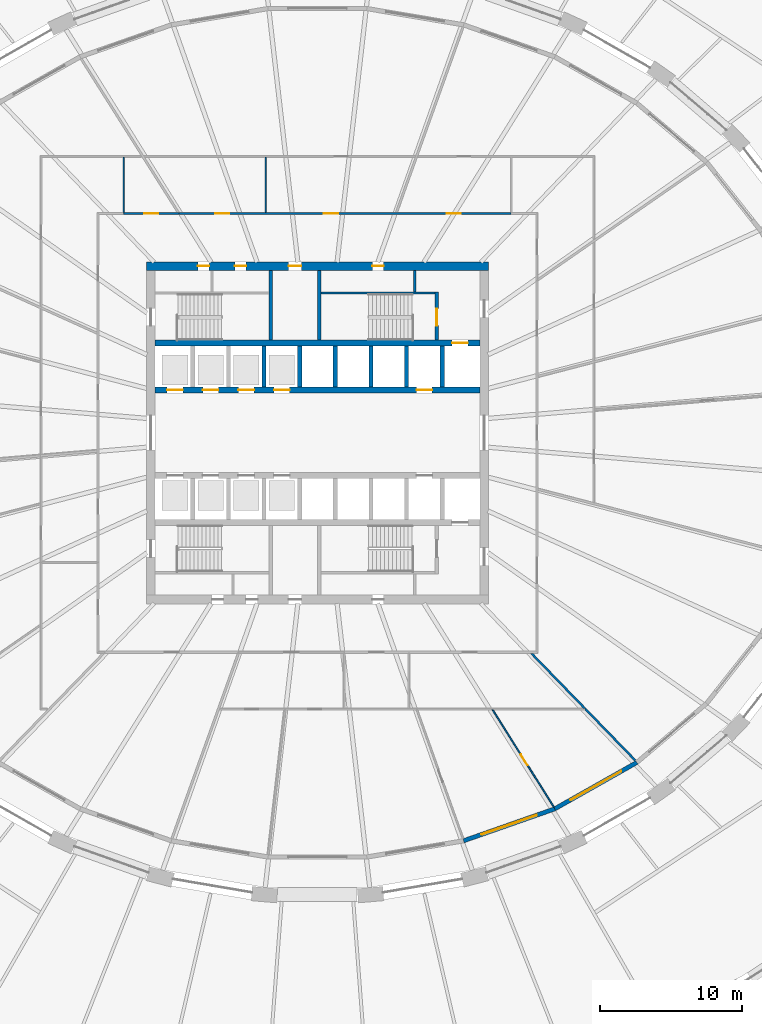
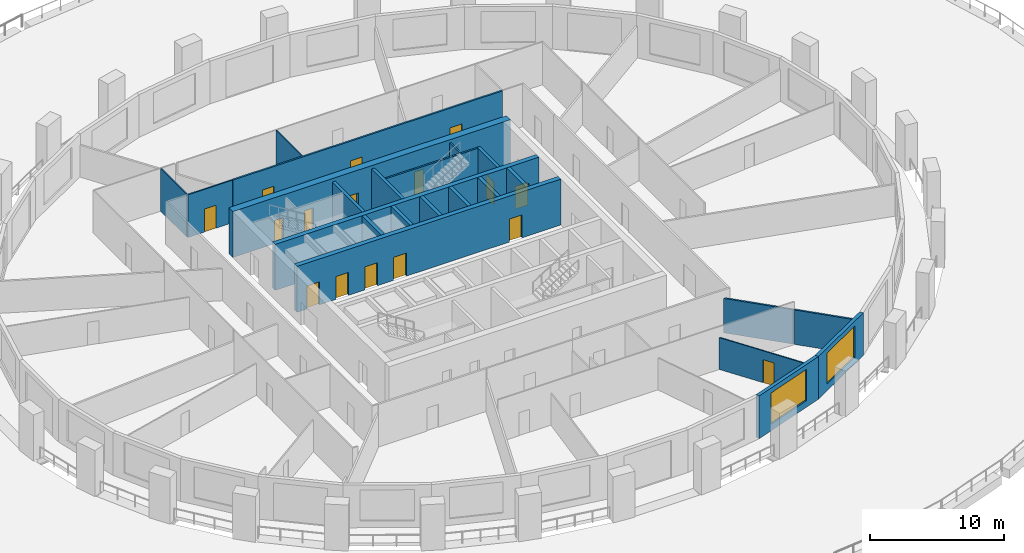
# One storey, part 8 of 16: 22 walls, 16 doors, 2 windows, 18 openings.
"""IFC4 building model written with IfcOpenShell, lengths in metres."""

from ifc_helpers import new_model, si_unit, direction, frame, frame_2d, origin, place, context, subcontext, project, spatial, polyline, rectangle, outline, extrude, material, layer, layer_set, type_object, element, fill, save


model = new_model("IFC4")

# Units and contexts
model_context = context("Model", 3, precision=1e-05, world=origin(), true_north=direction((0.0, 1.0)))
body_context = subcontext(model_context, "Body", "Model", "MODEL_VIEW")
ifc_project = project(units=[si_unit("LENGTHUNIT", "METRE"), si_unit("AREAUNIT", "SQUARE_METRE"), si_unit("VOLUMEUNIT", "CUBIC_METRE"), si_unit("PLANEANGLEUNIT", "RADIAN"), si_unit("MASSUNIT", "GRAM", prefix="KILO")], contexts=[model_context])

# Site, building, storey
site_placement = place(None, origin())
site = spatial("IfcSite", under=ifc_project, at=site_placement, CompositionType="ELEMENT")
building_placement = place(site_placement, origin())
building = spatial("IfcBuilding", under=site, at=building_placement, Name="Halqa Exchange Tower", CompositionType="ELEMENT")
storey_placement = place(building_placement, frame((0.0, 0.0, 23.5)))
storey = spatial("IfcBuildingStorey", under=building, at=storey_placement, Name="L04", CompositionType="ELEMENT", Elevation=23.5)

# Wall, openings, doors
ifc_material_1 = material(Name="Fire-rated gypsum board")
ifc_layer_1 = layer(ifc_material_1, 0.14990234375)
ifc_layer_set_1 = layer_set([ifc_layer_1], Name="Fire-rated gypsum board")
wall_type_1 = type_object("IfcWallType", Name="Fire partition EI 60 150", PredefinedType="PARTITIONING", material=ifc_layer_set_1)
wall_1_placement = place(storey_placement, frame((-9.72998046875, 15.39990234375, 0.0), z_axis=(0.0, 0.0, 1.0), x_axis=(1.0, 0.0, 0.0)))
wall_1 = element("IfcWall", 1, at=wall_1_placement, inside=storey, type_object=wall_type_1, Name="L04-PWL-023", PredefinedType="PARTITIONING", context=body_context, shape_type="SweptSolid", body=[
    extrude(rectangle(XDim=23.330078125, YDim=0.14990234375, at=frame_2d((11.6650390625, 0.0))), origin(), (0.0, 0.0, 1.0), 3.89990234375),
])
opening_1_placement = place(wall_1_placement, frame((18.7900390625, 0.0, 0.0)))
opening_1 = element("IfcOpeningElement", 2, at=opening_1_placement, cuts=wall_1, Name="Opening 01-05", PredefinedType="OPENING", context=body_context, shape_type="SweptSolid", body=[
    extrude(rectangle(XDim=1.0, YDim=2.10009765625, at=frame_2d((0.5, 1.050048828125))), frame((0.0, 0.0869140625, 0.0), z_axis=(0.0, -1.0, 0.0), x_axis=(1.0, 0.0, 0.0)), (0.0, 0.0, 1.0), 0.173828125),
])
opening_2_placement = place(wall_1_placement, frame((10.175048828125, 0.0, 0.0)))
opening_2 = element("IfcOpeningElement", 3, at=opening_2_placement, cuts=wall_1, Name="Opening 01-06", PredefinedType="OPENING", context=body_context, shape_type="SweptSolid", body=[
    extrude(rectangle(XDim=1.0, YDim=2.10009765625, at=frame_2d((0.5, 1.050048828125))), frame((0.0, 0.0869140625, 0.0), z_axis=(0.0, -1.0, 0.0), x_axis=(1.0, 0.0, 0.0)), (0.0, 0.0, 1.0), 0.173828125),
])
opening_3_placement = place(wall_1_placement, frame((2.550048828125, 0.0, 0.0)))
opening_3 = element("IfcOpeningElement", 4, at=opening_3_placement, cuts=wall_1, Name="Opening 01-07", PredefinedType="OPENING", context=body_context, shape_type="SweptSolid", body=[
    extrude(rectangle(XDim=1.0, YDim=2.10009765625, at=frame_2d((0.5, 1.050048828125))), frame((0.0, 0.0869140625, 0.0), z_axis=(0.0, -1.0, 0.0), x_axis=(1.0, 0.0, 0.0)), (0.0, 0.0, 1.0), 0.173828125),
])
ifc_material_2 = material(Name="Steel fire door leaf", Category="steel")
door_type_1 = type_object("IfcDoorType", Name="Fire door FD30S 1000 x 2100", OperationType="SINGLE_SWING_LEFT", PredefinedType="DOOR", material=ifc_material_2)
door_1_placement = place(opening_1_placement, origin())
door_1 = element("IfcDoor", 5, at=door_1_placement, inside=storey, type_object=door_type_1, Name="L04-IDR-005", OperationType="SINGLE_SWING_RIGHT", OverallHeight=2.10009765625, OverallWidth=1.0, PredefinedType="DOOR", context=body_context, shape_type="SweptSolid", body=[
    extrude(rectangle(XDim=1.0, YDim=2.10009765625, at=frame_2d((0.5, 1.050048828125))), frame((0.0, 0.02490234375, 0.0), z_axis=(0.0, -1.0, 0.0), x_axis=(1.0, 0.0, 0.0)), (0.0, 0.0, 1.0), 0.050048828125),
])
fill(opening_1, door_1)
door_2_placement = place(opening_2_placement, origin())
door_2 = element("IfcDoor", 6, at=door_2_placement, inside=storey, type_object=door_type_1, Name="L04-IDR-006", OperationType="SINGLE_SWING_RIGHT", OverallHeight=2.10009765625, OverallWidth=1.0, PredefinedType="DOOR", context=body_context, shape_type="SweptSolid", body=[
    extrude(rectangle(XDim=1.0, YDim=2.10009765625, at=frame_2d((0.5, 1.050048828125))), frame((0.0, 0.02490234375, 0.0), z_axis=(0.0, -1.0, 0.0), x_axis=(1.0, 0.0, 0.0)), (0.0, 0.0, 1.0), 0.050048828125),
])
fill(opening_2, door_2)
door_3_placement = place(opening_3_placement, origin())
door_3 = element("IfcDoor", 7, at=door_3_placement, inside=storey, type_object=door_type_1, Name="L04-IDR-007", OperationType="SINGLE_SWING_RIGHT", OverallHeight=2.10009765625, OverallWidth=1.0, PredefinedType="DOOR", context=body_context, shape_type="SweptSolid", body=[
    extrude(rectangle(XDim=1.0, YDim=2.10009765625, at=frame_2d((0.5, 1.050048828125))), frame((0.0, 0.02490234375, 0.0), z_axis=(0.0, -1.0, 0.0), x_axis=(1.0, 0.0, 0.0)), (0.0, 0.0, 1.0), 0.050048828125),
])
fill(opening_3, door_3)

# Wall
wall_2_placement = place(storey_placement, frame((14.96240234375, -15.423095703125, 0.0), z_axis=(0.0, 0.0, 1.0), x_axis=(0.69624947088, -0.717799884578, 0.0)))
element("IfcWall", 8, at=wall_2_placement, inside=storey, type_object=wall_type_1, Name="L04-PWL-038", PredefinedType="PARTITIONING", context=body_context, shape_type="SweptSolid", body=[
    extrude(outline(polyline([(0.0, -0.074951171875), (1.79931640625, -0.074951171875), (3.5986328125, -0.074951171875), (5.39794921875, -0.074951171875), (5.46533203125, -0.005615234375), (5.53662109375, -0.074951171875), (7.21044921875, -0.074951171875), (8.884033203125, -0.074951171875), (10.557861328125, -0.074951171875), (10.558349609375, -0.0732421875), (10.558349609375, 0.074951171875), (8.82275390625, 0.074951171875), (7.087158203125, 0.074951171875), (5.3515625, 0.074951171875), (3.6162109375, 0.074951171875), (1.880615234375, 0.074951171875), (0.14501953125, 0.074951171875), (0.0, -0.074462890625), (0.0, -0.074951171875)])), origin(), (0.0, 0.0, 1.0), 3.14697265625),
])

# Wall, opening, door
ifc_material_3 = material(Name="Fire-rated glazing", Category="glass")
ifc_layer_2 = layer(ifc_material_3, 0.1201171875)
ifc_layer_set_2 = layer_set([ifc_layer_2], Name="Fire-rated glazing")
wall_type_2 = type_object("IfcWallType", Name="Glazed fire partition EI 60 120", PredefinedType="PARTITIONING", material=ifc_layer_set_2)
wall_3_placement = place(storey_placement, frame((-13.60009765625, 15.39990234375, 0.0), z_axis=(0.0, 0.0, 1.0), x_axis=(1.0, 0.0, 0.0)))
wall_3 = element("IfcWall", 9, at=wall_3_placement, inside=storey, type_object=wall_type_2, Name="L04-PWL-019", PredefinedType="PARTITIONING", context=body_context, shape_type="SweptSolid", body=[
    extrude(rectangle(XDim=3.8701171875, YDim=0.1201171875, at=frame_2d((1.93505859375, 0.0))), origin(), (0.0, 0.0, 1.0), 3.89990234375),
])
opening_4_placement = place(wall_3_placement, frame((1.43505859375, 0.0, 0.0)))
opening_4 = element("IfcOpeningElement", 10, at=opening_4_placement, cuts=wall_3, Name="Opening 01-09", PredefinedType="OPENING", context=body_context, shape_type="SweptSolid", body=[
    extrude(rectangle(XDim=1.0, YDim=2.10009765625, at=frame_2d((0.5, 1.050048828125))), frame((0.0, 0.072021484375, 0.0), z_axis=(0.0, -1.0, 0.0), x_axis=(1.0, 0.0, 0.0)), (0.0, 0.0, 1.0), 0.14404296875),
])
door_4_placement = place(opening_4_placement, origin())
door_4 = element("IfcDoor", 11, at=door_4_placement, inside=storey, type_object=door_type_1, Name="L04-IDR-009", OperationType="SINGLE_SWING_LEFT", OverallHeight=2.10009765625, OverallWidth=1.0, PredefinedType="DOOR", context=body_context, shape_type="SweptSolid", body=[
    extrude(rectangle(XDim=1.0, YDim=2.10009765625, at=frame_2d((0.5, 1.050048828125))), frame((0.0, 0.02490234375, 0.0), z_axis=(0.0, -1.0, 0.0), x_axis=(1.0, 0.0, 0.0)), (0.0, 0.0, 1.0), 0.050048828125),
])
fill(opening_4, door_4)

# Walls
ifc_material_4 = material(Name="Gypsum board")
ifc_layer_3 = layer(ifc_material_4, 0.10009765625)
ifc_layer_set_3 = layer_set([ifc_layer_3], Name="Gypsum board")
wall_type_3 = type_object("IfcWallType", Name="Partition 100 gypsum", PredefinedType="PARTITIONING", material=ifc_layer_set_3)
wall_4_placement = place(storey_placement, frame((-13.60009765625, 19.35009765625, 0.0), z_axis=(0.0, 0.0, 1.0), x_axis=(0.0, -1.0, 0.0)))
element("IfcWall", 12, at=wall_4_placement, inside=storey, type_object=wall_type_3, Name="L04-PWL-020", PredefinedType="PARTITIONING", context=body_context, shape_type="SweptSolid", body=[
    extrude(outline(polyline([(0.0, -0.050048828125), (1.9375, -0.050048828125), (3.875, -0.050048828125), (3.875, 0.0), (3.8896484375, 0.0), (3.8896484375, 0.050048828125), (1.94482421875, 0.050048828125), (0.0, 0.050048828125), (0.0, -0.050048828125)])), origin(), (0.0, 0.0, 1.0), 3.89990234375),
])
wall_5_placement = place(storey_placement, frame((-3.6298828125, 15.47509765625, 0.0), z_axis=(0.0, 0.0, 1.0), x_axis=(0.0, 1.0, 0.0)))
element("IfcWall", 13, at=wall_5_placement, inside=storey, type_object=wall_type_3, Name="L04-PWL-026", PredefinedType="PARTITIONING", context=body_context, shape_type="SweptSolid", body=[
    extrude(rectangle(XDim=3.875, YDim=0.10009765625, at=frame_2d((1.9375, 0.0))), origin(), (0.0, 0.0, 1.0), 3.89990234375),
])

# Wall, opening, door
wall_6_placement = place(storey_placement, frame((12.27490234375, -19.423583984375, 0.0), z_axis=(0.0, 0.0, 1.0), x_axis=(0.533945273126, -0.845519038997, 0.0)))
wall_6 = element("IfcWall", 14, at=wall_6_placement, inside=storey, type_object=wall_type_3, Name="L04-PWL-035", PredefinedType="PARTITIONING", context=body_context, shape_type="SweptSolid", body=[
    extrude(outline(polyline([(0.0, -0.050048828125), (1.614013671875, -0.050048828125), (3.228271484375, -0.050048828125), (4.84228515625, -0.050048828125), (6.456298828125, -0.050048828125), (8.070556640625, -0.050048828125), (8.082763671875, 0.003173828125), (8.0849609375, 0.0498046875), (8.0849609375, 0.050048828125), (6.48046875, 0.050048828125), (4.876220703125, 0.050048828125), (3.271728515625, 0.050048828125), (1.667236328125, 0.050048828125), (0.062744140625, 0.050048828125), (0.0, -0.049560546875), (0.0, -0.050048828125)])), origin(), (0.0, 0.0, 1.0), 2.909912109375),
])
opening_5_placement = place(wall_6_placement, frame((3.7265625, 0.0, 0.0)))
opening_5 = element("IfcOpeningElement", 15, at=opening_5_placement, cuts=wall_6, Name="Opening 01-31", PredefinedType="OPENING", context=body_context, shape_type="SweptSolid", body=[
    extrude(rectangle(XDim=0.89990234375, YDim=2.10009765625, at=frame_2d((0.449951171875, 1.050048828125))), frame((0.0, 0.06201171875, 0.0), z_axis=(0.0, -1.0, 0.0), x_axis=(1.0, 0.0, 0.0)), (0.0, 0.0, 1.0), 0.1240234375),
])
ifc_material_5 = material(Name="Timber door leaf", Category="wood")
door_type_2 = type_object("IfcDoorType", Name="Door 900 x 2100", OperationType="SINGLE_SWING_LEFT", PredefinedType="DOOR", material=ifc_material_5)
door_5_placement = place(opening_5_placement, origin())
door_5 = element("IfcDoor", 16, at=door_5_placement, inside=storey, type_object=door_type_2, Name="L04-IDR-031", OperationType="SINGLE_SWING_RIGHT", OverallHeight=2.10009765625, OverallWidth=0.89990234375, PredefinedType="DOOR", context=body_context, shape_type="SweptSolid", body=[
    extrude(rectangle(XDim=0.89990234375, YDim=2.10009765625, at=frame_2d((0.449951171875, 1.050048828125))), frame((0.0, 0.02490234375, 0.0), z_axis=(0.0, -1.0, 0.0), x_axis=(1.0, 0.0, 0.0)), (0.0, 0.0, 1.0), 0.050048828125),
])
fill(opening_5, door_5)

# Walls
ifc_layer_4 = layer(ifc_material_4, 0.14990234375)
ifc_layer_set_4 = layer_set([ifc_layer_4], Name="Gypsum board")
wall_type_4 = type_object("IfcWallType", Name="Penthouse riser wall 150 gypsum", PredefinedType="PARTITIONING", material=ifc_layer_set_4)
wall_7_placement = place(storey_placement, frame((6.824951171875, 9.89990234375, 0.0), z_axis=(0.0, 0.0, 1.0), x_axis=(0.0, 1.0, 0.0)))
element("IfcWall", 17, at=wall_7_placement, inside=storey, type_object=wall_type_4, Name="Firefighting lobby west wall N", PredefinedType="PARTITIONING", context=body_context, shape_type="SweptSolid", body=[
    extrude(rectangle(XDim=1.5, YDim=0.14990234375, at=frame_2d((0.75, 0.0))), origin(), (0.0, 0.0, 1.0), 3.89990234375),
])
ifc_material_6 = material(Name="Concrete C60/75", Category="concrete")
ifc_layer_5 = layer(ifc_material_6, 0.300048828125)
ifc_layer_set_5 = layer_set([ifc_layer_5], Name="Concrete C60/75")
wall_type_5 = type_object("IfcWallType", Name="RC core wall 300", PredefinedType="SHEAR", material=ifc_layer_set_5)
for number, where, z_axis, x_axis, name in (
    (18, (-3.75, 3.199951171875, 0.0), (0.0, 0.0, 1.0), (0.0, 1.0, 0.0), "Shaft divider N3"),
    (19, (-1.25, 3.199951171875, 0.0), (0.0, 0.0, 1.0), (0.0, 1.0, 0.0), "Shaft divider N4"),
    (20, (1.25, 3.199951171875, 0.0), (0.0, 0.0, 1.0), (0.0, 1.0, 0.0), "Shaft divider N5"),
    (21, (3.75, 3.199951171875, 0.0), (0.0, 0.0, 1.0), (0.0, 1.0, 0.0), "Shaft divider N6"),
    (22, (6.25, 3.199951171875, 0.0), (0.0, 0.0, 1.0), (0.0, 1.0, 0.0), "Shaft divider N7"),
    (23, (8.75, 3.199951171875, 0.0), (0.0, 0.0, 1.0), (0.0, 1.0, 0.0), "Shaft divider N8"),
):
    element("IfcWall", number, at=place(storey_placement, frame(where, z_axis=z_axis, x_axis=x_axis)), inside=storey, type_object=wall_type_5, Name=name, PredefinedType="SHEAR", context=body_context, shape_type="SweptSolid", body=[
        extrude(rectangle(XDim=2.900146484375, YDim=0.300048828125, at=frame_2d((1.4501953125, 0.0))), origin(), (0.0, 0.0, 1.0), 4.199951171875),
    ])

# Wall, openings, doors
ifc_material_7 = material(Name="Concrete C80/95", Category="concrete")
ifc_layer_6 = layer(ifc_material_7, 0.39990234375)
ifc_layer_set_6 = layer_set([ifc_layer_6], Name="Concrete C80/95")
wall_type_6 = type_object("IfcWallType", Name="RC core wall 400 C80/95", PredefinedType="SHEAR", material=ifc_layer_set_6)
wall_8_placement = place(storey_placement, frame((-11.39990234375, 3.0, 0.0), z_axis=(0.0, 0.0, 1.0), x_axis=(1.0, 0.0, 0.0)))
wall_8 = element("IfcWall", 24, at=wall_8_placement, inside=storey, type_object=wall_type_6, Name="Lift row front wall N", PredefinedType="SHEAR", context=body_context, shape_type="SweptSolid", body=[
    extrude(rectangle(XDim=22.7998046875, YDim=0.39990234375, at=frame_2d((11.39990234375, 0.0))), origin(), (0.0, 0.0, 1.0), 4.199951171875),
])
opening_6_placement = place(wall_8_placement, frame((0.85009765625, 0.0, 0.0)))
opening_6 = element("IfcOpeningElement", 25, at=opening_6_placement, cuts=wall_8, Name="Opening LD-LR1-T01", PredefinedType="OPENING", context=body_context, shape_type="SweptSolid", body=[
    extrude(rectangle(XDim=1.10009765625, YDim=2.10009765625, at=frame_2d((0.550048828125, 1.050048828125))), frame((0.0, 0.2119140625, 0.0), z_axis=(0.0, -1.0, 0.0), x_axis=(1.0, 0.0, 0.0)), (0.0, 0.0, 1.0), 0.423828125),
])
opening_7_placement = place(wall_8_placement, frame((3.35009765625, 0.0, 0.0)))
opening_7 = element("IfcOpeningElement", 26, at=opening_7_placement, cuts=wall_8, Name="Opening LD-LR2-T01", PredefinedType="OPENING", context=body_context, shape_type="SweptSolid", body=[
    extrude(rectangle(XDim=1.10009765625, YDim=2.10009765625, at=frame_2d((0.550048828125, 1.050048828125))), frame((0.0, 0.2119140625, 0.0), z_axis=(0.0, -1.0, 0.0), x_axis=(1.0, 0.0, 0.0)), (0.0, 0.0, 1.0), 0.423828125),
])
opening_8_placement = place(wall_8_placement, frame((5.85009765625, 0.0, 0.0)))
opening_8 = element("IfcOpeningElement", 27, at=opening_8_placement, cuts=wall_8, Name="Opening LD-LR3-T01", PredefinedType="OPENING", context=body_context, shape_type="SweptSolid", body=[
    extrude(rectangle(XDim=1.10009765625, YDim=2.10009765625, at=frame_2d((0.550048828125, 1.050048828125))), frame((0.0, 0.2119140625, 0.0), z_axis=(0.0, -1.0, 0.0), x_axis=(1.0, 0.0, 0.0)), (0.0, 0.0, 1.0), 0.423828125),
])
opening_9_placement = place(wall_8_placement, frame((8.35009765625, 0.0, 0.0)))
opening_9 = element("IfcOpeningElement", 28, at=opening_9_placement, cuts=wall_8, Name="Opening LD-LR4-T01", PredefinedType="OPENING", context=body_context, shape_type="SweptSolid", body=[
    extrude(rectangle(XDim=1.10009765625, YDim=2.10009765625, at=frame_2d((0.550048828125, 1.050048828125))), frame((0.0, 0.2119140625, 0.0), z_axis=(0.0, -1.0, 0.0), x_axis=(1.0, 0.0, 0.0)), (0.0, 0.0, 1.0), 0.423828125),
])
opening_10_placement = place(wall_8_placement, frame((18.35009765625, 0.0, 0.0)))
opening_10 = element("IfcOpeningElement", 29, at=opening_10_placement, cuts=wall_8, Name="Opening LD-SV1-T01", PredefinedType="OPENING", context=body_context, shape_type="SweptSolid", body=[
    extrude(rectangle(XDim=1.10009765625, YDim=2.10009765625, at=frame_2d((0.550048828125, 1.050048828125))), frame((0.0, 0.2119140625, 0.0), z_axis=(0.0, -1.0, 0.0), x_axis=(1.0, 0.0, 0.0)), (0.0, 0.0, 1.0), 0.423828125),
])
ifc_material_8 = material(Name="Stainless steel", Category="steel")
door_type_3 = type_object("IfcDoorType", Name="Lift landing door 1100 x 2100", OperationType="SLIDING_TO_LEFT", PredefinedType="DOOR", material=ifc_material_8)
door_6_placement = place(opening_6_placement, origin())
door_6 = element("IfcDoor", 30, at=door_6_placement, inside=storey, type_object=door_type_3, Name="Lift landing door LR1", OperationType="SLIDING_TO_LEFT", OverallHeight=2.10009765625, OverallWidth=1.10009765625, PredefinedType="DOOR", context=body_context, shape_type="SweptSolid", body=[
    extrude(rectangle(XDim=1.10009765625, YDim=2.10009765625, at=frame_2d((0.550048828125, 1.050048828125))), frame((0.0, 0.02490234375, 0.0), z_axis=(0.0, -1.0, 0.0), x_axis=(1.0, 0.0, 0.0)), (0.0, 0.0, 1.0), 0.050048828125),
])
fill(opening_6, door_6)
door_7_placement = place(opening_7_placement, origin())
door_7 = element("IfcDoor", 31, at=door_7_placement, inside=storey, type_object=door_type_3, Name="Lift landing door LR2", OperationType="SLIDING_TO_LEFT", OverallHeight=2.10009765625, OverallWidth=1.10009765625, PredefinedType="DOOR", context=body_context, shape_type="SweptSolid", body=[
    extrude(rectangle(XDim=1.10009765625, YDim=2.10009765625, at=frame_2d((0.550048828125, 1.050048828125))), frame((0.0, 0.02490234375, 0.0), z_axis=(0.0, -1.0, 0.0), x_axis=(1.0, 0.0, 0.0)), (0.0, 0.0, 1.0), 0.050048828125),
])
fill(opening_7, door_7)
door_8_placement = place(opening_8_placement, origin())
door_8 = element("IfcDoor", 32, at=door_8_placement, inside=storey, type_object=door_type_3, Name="Lift landing door LR3", OperationType="SLIDING_TO_LEFT", OverallHeight=2.10009765625, OverallWidth=1.10009765625, PredefinedType="DOOR", context=body_context, shape_type="SweptSolid", body=[
    extrude(rectangle(XDim=1.10009765625, YDim=2.10009765625, at=frame_2d((0.550048828125, 1.050048828125))), frame((0.0, 0.02490234375, 0.0), z_axis=(0.0, -1.0, 0.0), x_axis=(1.0, 0.0, 0.0)), (0.0, 0.0, 1.0), 0.050048828125),
])
fill(opening_8, door_8)
door_9_placement = place(opening_9_placement, origin())
door_9 = element("IfcDoor", 33, at=door_9_placement, inside=storey, type_object=door_type_3, Name="Lift landing door LR4", OperationType="SLIDING_TO_LEFT", OverallHeight=2.10009765625, OverallWidth=1.10009765625, PredefinedType="DOOR", context=body_context, shape_type="SweptSolid", body=[
    extrude(rectangle(XDim=1.10009765625, YDim=2.10009765625, at=frame_2d((0.550048828125, 1.050048828125))), frame((0.0, 0.02490234375, 0.0), z_axis=(0.0, -1.0, 0.0), x_axis=(1.0, 0.0, 0.0)), (0.0, 0.0, 1.0), 0.050048828125),
])
fill(opening_9, door_9)
door_10_placement = place(opening_10_placement, origin())
door_10 = element("IfcDoor", 34, at=door_10_placement, inside=storey, type_object=door_type_3, Name="Lift landing door SV1", OperationType="SLIDING_TO_LEFT", OverallHeight=2.10009765625, OverallWidth=1.10009765625, PredefinedType="DOOR", context=body_context, shape_type="SweptSolid", body=[
    extrude(rectangle(XDim=1.10009765625, YDim=2.10009765625, at=frame_2d((0.550048828125, 1.050048828125))), frame((0.0, 0.02490234375, 0.0), z_axis=(0.0, -1.0, 0.0), x_axis=(1.0, 0.0, 0.0)), (0.0, 0.0, 1.0), 0.050048828125),
])
fill(opening_10, door_10)

# Wall, opening, door
wall_9_placement = place(storey_placement, frame((-11.39990234375, 6.300048828125, 0.0), z_axis=(0.0, 0.0, 1.0), x_axis=(1.0, 0.0, 0.0)))
wall_9 = element("IfcWall", 35, at=wall_9_placement, inside=storey, type_object=wall_type_6, Name="Lift row back wall N", PredefinedType="SHEAR", context=body_context, shape_type="SweptSolid", body=[
    extrude(rectangle(XDim=22.7998046875, YDim=0.39990234375, at=frame_2d((11.39990234375, 0.0))), origin(), (0.0, 0.0, 1.0), 4.199951171875),
])
opening_11_placement = place(wall_9_placement, frame((20.85009765625, 0.0, 0.0)))
opening_11 = element("IfcOpeningElement", 36, at=opening_11_placement, cuts=wall_9, Name="Opening LD-FF1-T01", PredefinedType="OPENING", context=body_context, shape_type="SweptSolid", body=[
    extrude(rectangle(XDim=1.10009765625, YDim=2.10009765625, at=frame_2d((0.550048828125, 1.050048828125))), frame((0.0, 0.2119140625, 0.0), z_axis=(0.0, -1.0, 0.0), x_axis=(1.0, 0.0, 0.0)), (0.0, 0.0, 1.0), 0.423828125),
])
door_11_placement = place(opening_11_placement, origin())
door_11 = element("IfcDoor", 37, at=door_11_placement, inside=storey, type_object=door_type_3, Name="Lift landing door FF1", OperationType="SLIDING_TO_LEFT", OverallHeight=2.10009765625, OverallWidth=1.10009765625, PredefinedType="DOOR", context=body_context, shape_type="SweptSolid", body=[
    extrude(rectangle(XDim=1.10009765625, YDim=2.10009765625, at=frame_2d((0.550048828125, 1.050048828125))), frame((0.0, 0.02490234375, 0.0), z_axis=(0.0, -1.0, 0.0), x_axis=(1.0, 0.0, 0.0)), (0.0, 0.0, 1.0), 0.050048828125),
])
fill(opening_11, door_11)

# Wall, openings, doors
ifc_layer_7 = layer(ifc_material_7, 0.60009765625)
ifc_layer_set_7 = layer_set([ifc_layer_7], Name="Concrete C80/95")
wall_type_7 = type_object("IfcWallType", Name="RC core wall 600 C80/95", PredefinedType="SHEAR", material=ifc_layer_set_7)
wall_10_placement = place(storey_placement, frame((-12.0, 11.699951171875, 0.0), z_axis=(0.0, 0.0, 1.0), x_axis=(1.0, 0.0, 0.0)))
wall_10 = element("IfcWall", 38, at=wall_10_placement, inside=storey, type_object=wall_type_7, Name="Core wall north", PredefinedType="SHEAR", context=body_context, shape_type="SweptSolid", body=[
    extrude(rectangle(XDim=24.0, YDim=0.60009765625, at=frame_2d((12.0, 0.0))), origin(), (0.0, 0.0, 1.0), 4.199951171875),
])
opening_12_placement = place(wall_10_placement, frame((9.97509765625, 0.0, 0.0)))
opening_12 = element("IfcOpeningElement", 39, at=opening_12_placement, cuts=wall_10, Name="Opening T01-C21", PredefinedType="OPENING", context=body_context, shape_type="SweptSolid", body=[
    extrude(rectangle(XDim=0.89990234375, YDim=2.10009765625, at=frame_2d((0.449951171875, 1.050048828125))), frame((0.0, 0.31201171875, 0.0), z_axis=(0.0, -1.0, 0.0), x_axis=(1.0, 0.0, 0.0)), (0.0, 0.0, 1.0), 0.6240234375),
])
opening_13_placement = place(wall_10_placement, frame((3.60009765625, 0.0, 0.0)))
opening_13 = element("IfcOpeningElement", 40, at=opening_13_placement, cuts=wall_10, Name="Opening T01-C22", PredefinedType="OPENING", context=body_context, shape_type="SweptSolid", body=[
    extrude(rectangle(XDim=0.800048828125, YDim=2.10009765625, at=frame_2d((0.39990234375, 1.050048828125))), frame((0.0, 0.31201171875, 0.0), z_axis=(0.0, -1.0, 0.0), x_axis=(1.0, 0.0, 0.0)), (0.0, 0.0, 1.0), 0.6240234375),
])
opening_14_placement = place(wall_10_placement, frame((6.199951171875, 0.0, 0.0)))
opening_14 = element("IfcOpeningElement", 41, at=opening_14_placement, cuts=wall_10, Name="Opening T01-C23", PredefinedType="OPENING", context=body_context, shape_type="SweptSolid", body=[
    extrude(rectangle(XDim=0.800048828125, YDim=2.10009765625, at=frame_2d((0.39990234375, 1.050048828125))), frame((0.0, 0.31201171875, 0.0), z_axis=(0.0, -1.0, 0.0), x_axis=(1.0, 0.0, 0.0)), (0.0, 0.0, 1.0), 0.6240234375),
])
opening_15_placement = place(wall_10_placement, frame((15.85009765625, 0.0, 0.0)))
opening_15 = element("IfcOpeningElement", 42, at=opening_15_placement, cuts=wall_10, Name="Opening T01-C24", PredefinedType="OPENING", context=body_context, shape_type="SweptSolid", body=[
    extrude(rectangle(XDim=0.800048828125, YDim=2.10009765625, at=frame_2d((0.39990234375, 1.050048828125))), frame((0.0, 0.31201171875, 0.0), z_axis=(0.0, -1.0, 0.0), x_axis=(1.0, 0.0, 0.0)), (0.0, 0.0, 1.0), 0.6240234375),
])
ifc_material_9 = material(Name="Timber fire door leaf", Category="wood")
door_type_4 = type_object("IfcDoorType", Name="Core room door FD30 900 x 2100", OperationType="SINGLE_SWING_LEFT", PredefinedType="DOOR", material=ifc_material_9)
door_12_placement = place(opening_12_placement, frame((0.89990234375, 0.0, 0.0), z_axis=(0.0, 0.0, 1.0), x_axis=(-1.0, 0.0, 0.0)))
door_12 = element("IfcDoor", 43, at=door_12_placement, inside=storey, type_object=door_type_4, Name="Core room door", OperationType="SINGLE_SWING_LEFT", OverallHeight=2.10009765625, OverallWidth=0.89990234375, PredefinedType="DOOR", context=body_context, shape_type="SweptSolid", body=[
    extrude(rectangle(XDim=0.89990234375, YDim=2.10009765625, at=frame_2d((0.449951171875, 1.050048828125))), frame((0.0, 0.02490234375, 0.0), z_axis=(0.0, -1.0, 0.0), x_axis=(1.0, 0.0, 0.0)), (0.0, 0.0, 1.0), 0.050048828125),
])
fill(opening_12, door_12)
door_type_5 = type_object("IfcDoorType", Name="Riser door FD60 800 x 2100", OperationType="SINGLE_SWING_LEFT", PredefinedType="DOOR", material=ifc_material_2)
door_13_placement = place(opening_13_placement, frame((0.800048828125, 0.0, 0.0), z_axis=(0.0, 0.0, 1.0), x_axis=(-1.0, 0.0, 0.0)))
door_13 = element("IfcDoor", 44, at=door_13_placement, inside=storey, type_object=door_type_5, Name="Core room door", OperationType="SINGLE_SWING_RIGHT", OverallHeight=2.10009765625, OverallWidth=0.800048828125, PredefinedType="DOOR", context=body_context, shape_type="SweptSolid", body=[
    extrude(rectangle(XDim=0.800048828125, YDim=2.10009765625, at=frame_2d((0.39990234375, 1.050048828125))), frame((0.0, 0.02490234375, 0.0), z_axis=(0.0, -1.0, 0.0), x_axis=(1.0, 0.0, 0.0)), (0.0, 0.0, 1.0), 0.050048828125),
])
fill(opening_13, door_13)
door_14_placement = place(opening_14_placement, frame((0.800048828125, 0.0, 0.0), z_axis=(0.0, 0.0, 1.0), x_axis=(-1.0, 0.0, 0.0)))
door_14 = element("IfcDoor", 45, at=door_14_placement, inside=storey, type_object=door_type_5, Name="Core room door", OperationType="SINGLE_SWING_LEFT", OverallHeight=2.10009765625, OverallWidth=0.800048828125, PredefinedType="DOOR", context=body_context, shape_type="SweptSolid", body=[
    extrude(rectangle(XDim=0.800048828125, YDim=2.10009765625, at=frame_2d((0.39990234375, 1.050048828125))), frame((0.0, 0.02490234375, 0.0), z_axis=(0.0, -1.0, 0.0), x_axis=(1.0, 0.0, 0.0)), (0.0, 0.0, 1.0), 0.050048828125),
])
fill(opening_14, door_14)
door_15_placement = place(opening_15_placement, frame((0.800048828125, 0.0, 0.0), z_axis=(0.0, 0.0, 1.0), x_axis=(-1.0, 0.0, 0.0)))
door_15 = element("IfcDoor", 46, at=door_15_placement, inside=storey, type_object=door_type_5, Name="Core room door", OperationType="SINGLE_SWING_RIGHT", OverallHeight=2.10009765625, OverallWidth=0.800048828125, PredefinedType="DOOR", context=body_context, shape_type="SweptSolid", body=[
    extrude(rectangle(XDim=0.800048828125, YDim=2.10009765625, at=frame_2d((0.39990234375, 1.050048828125))), frame((0.0, 0.02490234375, 0.0), z_axis=(0.0, -1.0, 0.0), x_axis=(1.0, 0.0, 0.0)), (0.0, 0.0, 1.0), 0.050048828125),
])
fill(opening_15, door_15)

# Walls
ifc_material_10 = material(Name="Concrete C30/37", Category="concrete")
ifc_layer_8 = layer(ifc_material_10, 0.14990234375)
ifc_layer_set_8 = layer_set([ifc_layer_8], Name="Concrete C30/37")
wall_type_8 = type_object("IfcWallType", Name="RC stair wall 150 C30/37", PredefinedType="SHEAR", material=ifc_layer_set_8)
wall_11_placement = place(storey_placement, frame((0.25, 9.824951171875, 0.0), z_axis=(0.0, 0.0, 1.0), x_axis=(1.0, 0.0, 0.0)))
element("IfcWall", 47, at=wall_11_placement, inside=storey, type_object=wall_type_8, Name="Stair ST2 north wall N", PredefinedType="SHEAR", context=body_context, shape_type="SweptSolid", body=[
    extrude(rectangle(XDim=8.0, YDim=0.14990234375, at=frame_2d((4.0, 0.0))), origin(), (0.0, 0.0, 1.0), 3.89990234375),
])
ifc_layer_9 = layer(ifc_material_10, 0.25)
ifc_layer_set_9 = layer_set([ifc_layer_9], Name="Concrete C30/37")
wall_type_9 = type_object("IfcWallType", Name="RC stair wall 250 C30/37", PredefinedType="SHEAR", material=ifc_layer_set_9)
for number, where, z_axis, x_axis, name in (
    (48, (-3.27490234375, 6.5, 0.0), (0.0, 0.0, 1.0), (0.0, 1.0, 0.0), "Stair ST1 east wall N"),
    (49, (0.125, 6.5, 0.0), (0.0, 0.0, 1.0), (0.0, 1.0, 0.0), "Stair ST2 west wall N"),
):
    element("IfcWall", number, at=place(storey_placement, frame(where, z_axis=z_axis, x_axis=x_axis)), inside=storey, type_object=wall_type_9, Name=name, PredefinedType="SHEAR", context=body_context, shape_type="SweptSolid", body=[
        extrude(rectangle(XDim=4.89990234375, YDim=0.25, at=frame_2d((2.449951171875, 0.0))), origin(), (0.0, 0.0, 1.0), 3.89990234375),
    ])

# Wall, opening, door
wall_12_placement = place(storey_placement, frame((8.375, 6.5, 0.0), z_axis=(0.0, 0.0, 1.0), x_axis=(0.0, 1.0, 0.0)))
wall_12 = element("IfcWall", 50, at=wall_12_placement, inside=storey, type_object=wall_type_9, Name="Stair ST2 east wall N", PredefinedType="SHEAR", context=body_context, shape_type="SweptSolid", body=[
    extrude(rectangle(XDim=3.39990234375, YDim=0.25, at=frame_2d((1.699951171875, 0.0))), origin(), (0.0, 0.0, 1.0), 3.89990234375),
])
opening_16_placement = place(wall_12_placement, frame((1.02490234375, 0.0, 0.0)))
opening_16 = element("IfcOpeningElement", 51, at=opening_16_placement, cuts=wall_12, Name="Opening T01-C16", PredefinedType="OPENING", context=body_context, shape_type="SweptSolid", body=[
    extrude(rectangle(XDim=1.199951171875, YDim=2.10009765625, at=frame_2d((0.60009765625, 1.050048828125))), frame((0.0, 0.136962890625, 0.0), z_axis=(0.0, -1.0, 0.0), x_axis=(1.0, 0.0, 0.0)), (0.0, 0.0, 1.0), 0.27392578125),
])
door_type_6 = type_object("IfcDoorType", Name="Stair door FD90 1200 x 2100", OperationType="SINGLE_SWING_LEFT", PredefinedType="DOOR", material=ifc_material_2)
door_16_placement = place(opening_16_placement, origin())
door_16 = element("IfcDoor", 52, at=door_16_placement, inside=storey, type_object=door_type_6, Name="Stair door ST2", OperationType="SINGLE_SWING_RIGHT", OverallHeight=2.10009765625, OverallWidth=1.199951171875, PredefinedType="DOOR", context=body_context, shape_type="SweptSolid", body=[
    extrude(rectangle(XDim=1.199951171875, YDim=2.10009765625, at=frame_2d((0.60009765625, 1.050048828125))), frame((0.0, 0.02490234375, 0.0), z_axis=(0.0, -1.0, 0.0), x_axis=(1.0, 0.0, 0.0)), (0.0, 0.0, 1.0), 0.050048828125),
])
fill(opening_16, door_16)

# Wall, opening, window
ifc_material_11 = material(Name="Limestone cladding", Category="masonry")
ifc_layer_10 = layer(ifc_material_11, 0.0400390625)
ifc_material_12 = material(Name="Ventilated cavity")
ifc_layer_11 = layer(ifc_material_12, 0.030029296875, ventilated=True)
ifc_material_13 = material(Name="Mineral wool insulation")
ifc_layer_12 = layer(ifc_material_13, 0.10009765625)
ifc_layer_13 = layer(ifc_material_10, 0.10009765625)
ifc_material_14 = material(Name="Internal plaster")
ifc_layer_14 = layer(ifc_material_14, 0.030029296875)
ifc_layer_set_10 = layer_set([ifc_layer_10, ifc_layer_11, ifc_layer_12, ifc_layer_13, ifc_layer_14], Name="Stone-faced insulated wall 300")
wall_type_10 = type_object("IfcWallType", Name="Stone-faced insulated wall 300", PredefinedType="STANDARD", material=ifc_layer_set_10)
wall_13_placement = place(storey_placement, frame((10.255615234375, -28.63525390625, 0.0), z_axis=(0.0, 0.0, 1.0), x_axis=(0.943767392455, 0.330610206947, 0.0)))
wall_13 = element("IfcWall", 53, at=wall_13_placement, inside=storey, type_object=wall_type_10, Name="Glass-line wall 26", PredefinedType="STANDARD", context=body_context, shape_type="SweptSolid", body=[
    extrude(outline(polyline([(-0.0126953125, -0.14990234375), (6.794677734375, -0.14990234375), (6.767822265625, 0.14990234375), (0.0126953125, 0.14990234375), (-0.0126953125, -0.14990234375)])), origin(), (0.0, 0.0, 1.0), 3.89990234375),
])
opening_17_placement = place(wall_13_placement, frame((1.340576171875, 0.0, 0.60009765625)))
opening_17 = element("IfcOpeningElement", 54, at=opening_17_placement, cuts=wall_13, Name="Opening W-F1-26", PredefinedType="OPENING", context=body_context, shape_type="SweptSolid", body=[
    extrude(rectangle(XDim=4.10009765625, YDim=2.85009765625, at=frame_2d((2.050048828125, 1.425048828125))), frame((0.0, 0.162109375, 0.0), z_axis=(0.0, -1.0, 0.0), x_axis=(1.0, 0.0, 0.0)), (0.0, 0.0, 1.0), 0.323974609375),
])
ifc_material_15 = material(Name="Clear low-emissivity glass in aluminium frame", Category="aluminium")
window_type = type_object("IfcWindowType", Name="Fixed clear glazed window 4100 x 2850", PartitioningType="TRIPLE_PANEL_VERTICAL", PredefinedType="WINDOW", material=ifc_material_15)
window_1_placement = place(opening_17_placement, origin())
window_1 = element("IfcWindow", 55, at=window_1_placement, inside=storey, type_object=window_type, Name="Window 1", OverallHeight=2.85009765625, OverallWidth=4.10009765625, PartitioningType="TRIPLE_PANEL_VERTICAL", PredefinedType="WINDOW", context=body_context, shape_type="SweptSolid", body=[
    extrude(rectangle(XDim=4.10009765625, YDim=2.85009765625, at=frame_2d((2.050048828125, 1.425048828125))), frame((0.0, 0.030029296875, 0.0), z_axis=(0.0, -1.0, 0.0), x_axis=(1.0, 0.0, 0.0)), (0.0, 0.0, 1.0), 0.06005859375),
])
fill(opening_17, window_1)

wall_14_placement = place(storey_placement, frame((16.655517578125, -26.393310546875, 0.0), z_axis=(0.0, 0.0, 1.0), x_axis=(0.8705786416, 0.492029296678, 0.0)))
wall_14 = element("IfcWall", 56, at=wall_14_placement, inside=storey, type_object=wall_type_10, Name="Glass-line wall 27", PredefinedType="STANDARD", context=body_context, shape_type="SweptSolid", body=[
    extrude(outline(polyline([(-0.013427734375, -0.14990234375), (6.6318359375, -0.14990234375), (6.603515625, 0.14990234375), (0.013427734375, 0.14990234375), (-0.013427734375, -0.14990234375)])), origin(), (0.0, 0.0, 1.0), 3.89990234375),
])
opening_18_placement = place(wall_14_placement, frame((1.2587890625, 0.0, 0.60009765625)))
opening_18 = element("IfcOpeningElement", 57, at=opening_18_placement, cuts=wall_14, Name="Opening W-F1-27", PredefinedType="OPENING", context=body_context, shape_type="SweptSolid", body=[
    extrude(rectangle(XDim=4.10009765625, YDim=2.85009765625, at=frame_2d((2.050048828125, 1.425048828125))), frame((0.0, 0.162109375, 0.0), z_axis=(0.0, -1.0, 0.0), x_axis=(1.0, 0.0, 0.0)), (0.0, 0.0, 1.0), 0.323974609375),
])
window_2_placement = place(opening_18_placement, origin())
window_2 = element("IfcWindow", 58, at=window_2_placement, inside=storey, type_object=window_type, Name="Window 1", OverallHeight=2.85009765625, OverallWidth=4.10009765625, PartitioningType="TRIPLE_PANEL_VERTICAL", PredefinedType="WINDOW", context=body_context, shape_type="SweptSolid", body=[
    extrude(rectangle(XDim=4.10009765625, YDim=2.85009765625, at=frame_2d((2.050048828125, 1.425048828125))), frame((0.0, 0.030029296875, 0.0), z_axis=(0.0, -1.0, 0.0), x_axis=(1.0, 0.0, 0.0)), (0.0, 0.0, 1.0), 0.06005859375),
])
fill(opening_18, window_2)

save(model, "model.ifc")
